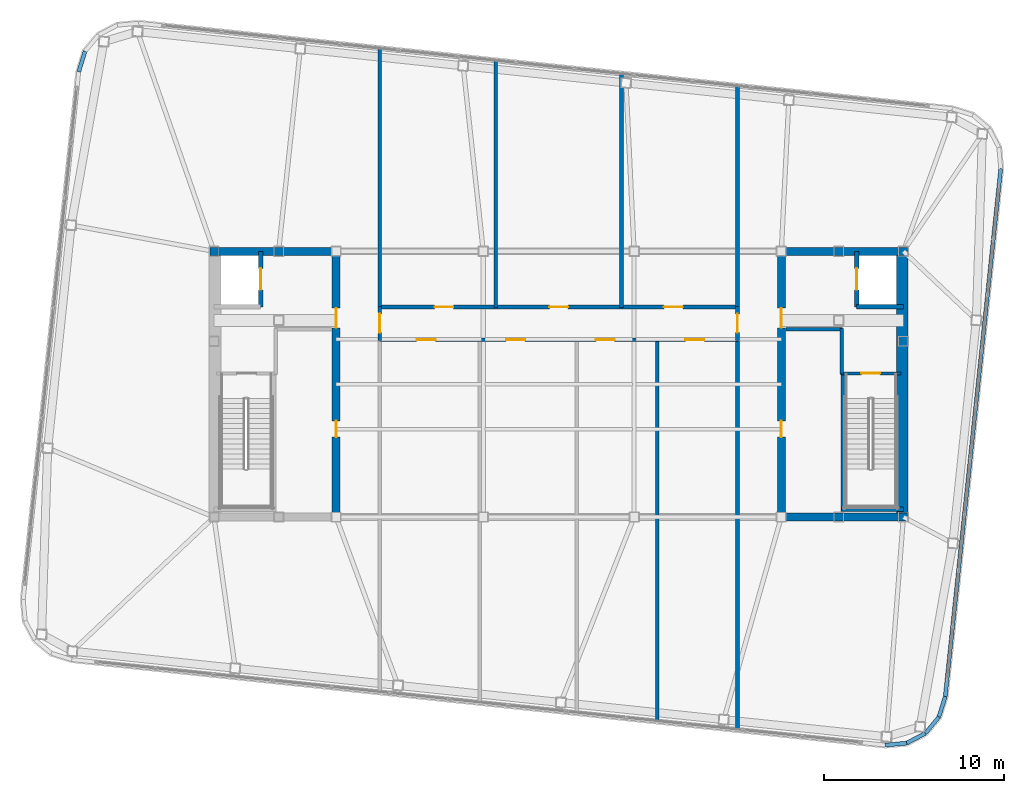
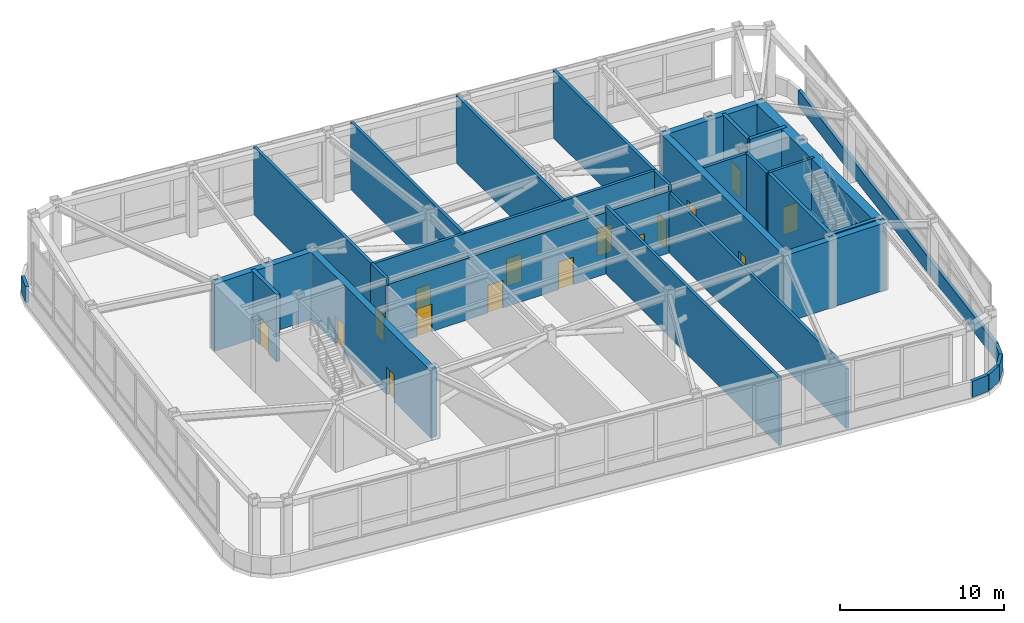
# One storey, part 20 of 23: 30 walls, 16 doors, 16 openings.
"""IFC4 building model written with IfcOpenShell, lengths in metres."""

from ifc_helpers import new_model, si_unit, direction, frame, frame_2d, origin, place, context, subcontext, project, spatial, rectangle, extrude, material, layer, layer_set, type_object, element, fill, save


model = new_model("IFC4")

# Units and contexts
model_context = context("Model", 3, precision=1e-05, world=origin(), true_north=direction((0.0, 1.0)))
body_context = subcontext(model_context, "Body", "Model", "MODEL_VIEW")
ifc_project = project(units=[si_unit("LENGTHUNIT", "METRE"), si_unit("AREAUNIT", "SQUARE_METRE"), si_unit("VOLUMEUNIT", "CUBIC_METRE"), si_unit("PLANEANGLEUNIT", "RADIAN"), si_unit("MASSUNIT", "GRAM", prefix="KILO")], contexts=[model_context])

# Site, building, storey
site_placement = place(None, origin())
site = spatial("IfcSite", under=ifc_project, at=site_placement, CompositionType="ELEMENT")
building_placement = place(site_placement, origin())
building = spatial("IfcBuilding", under=site, at=building_placement, Name="Voryun Gate Residences", CompositionType="ELEMENT")
storey_placement = place(building_placement, frame((0.0, 0.0, 326.60009765625)))
storey = spatial("IfcBuildingStorey", under=building, at=storey_placement, Name="L80", CompositionType="ELEMENT", Elevation=326.60009765625)

# Wall
ifc_material_1 = material(Name="Concrete C50/60", Category="concrete")
ifc_layer_1 = layer(ifc_material_1, 0.449951171875, Name="CW_CORE_450")
ifc_layer_set_1 = layer_set([ifc_layer_1], Name="Concrete C50/60")
wall_type_1 = type_object("IfcWallType", Name="CW_CORE_450", PredefinedType="SHEAR", material=ifc_layer_set_1)
wall_1_placement = place(storey_placement, frame((-19.425048828125, 7.39990234375, 0.0), z_axis=(0.0, 0.0, 1.0), x_axis=(1.0, 0.0, 0.0)))
element("IfcWall", 1, at=wall_1_placement, inside=storey, type_object=wall_type_1, Name="L80 Core shear wall CW-L80-WN", PredefinedType="SHEAR", context=body_context, shape_type="SweptSolid", body=[
    extrude(rectangle(XDim=7.25, YDim=0.449951171875, at=frame_2d((3.625, 0.0))), origin(), (0.0, 0.0, 1.0), 5.02490234375),
])

# Wall, openings, doors
wall_2_placement = place(storey_placement, frame((-12.39990234375, -7.39990234375, 0.0), z_axis=(0.0, 0.0, 1.0), x_axis=(0.0, 1.0, 0.0)))
wall_2 = element("IfcWall", 2, at=wall_2_placement, inside=storey, type_object=wall_type_1, Name="L80 Core shear wall CW-L80-WE", PredefinedType="SHEAR", context=body_context, shape_type="SweptSolid", body=[
    extrude(rectangle(XDim=14.7998046875, YDim=0.449951171875, at=frame_2d((7.39990234375, 0.0))), origin(), (0.0, 0.0, 1.0), 5.02490234375),
])
opening_1_placement = place(wall_2_placement, frame((10.530029296875, 0.0, 0.0)))
opening_1 = element("IfcOpeningElement", 3, at=opening_1_placement, cuts=wall_2, Name="Opening D-FD60-2", PredefinedType="OPENING", context=body_context, shape_type="SweptSolid", body=[
    extrude(rectangle(XDim=1.10009765625, YDim=2.050048828125, at=frame_2d((0.550048828125, 1.02490234375))), frame((0.0, 0.235107421875, 0.0), z_axis=(0.0, -1.0, 0.0), x_axis=(1.0, 0.0, 0.0)), (0.0, 0.0, 1.0), 0.469970703125),
])
opening_2_placement = place(wall_2_placement, frame((4.449951171875, 0.0, 0.0)))
opening_2 = element("IfcOpeningElement", 4, at=opening_2_placement, cuts=wall_2, Name="Opening D-FD60-4", PredefinedType="OPENING", context=body_context, shape_type="SweptSolid", body=[
    extrude(rectangle(XDim=0.89990234375, YDim=2.050048828125, at=frame_2d((0.449951171875, 1.02490234375))), frame((0.0, 0.235107421875, 0.0), z_axis=(0.0, -1.0, 0.0), x_axis=(1.0, 0.0, 0.0)), (0.0, 0.0, 1.0), 0.469970703125),
])
ifc_material_2 = material(Name="Painted steel fire door", Category="steel")
door_type_1 = type_object("IfcDoorType", Name="DR_FD60_FFLOB_1100", OperationType="NOTDEFINED", PredefinedType="DOOR", material=ifc_material_2)
door_1_placement = place(opening_1_placement, origin())
door_1 = element("IfcDoor", 5, at=door_1_placement, inside=storey, type_object=door_type_1, Name="Door DR-L80-CLOB-W", OperationType="SINGLE_SWING_LEFT", OverallHeight=2.050048828125, OverallWidth=1.10009765625, PredefinedType="DOOR", context=body_context, shape_type="SweptSolid", body=[
    extrude(rectangle(XDim=1.10009765625, YDim=2.050048828125, at=frame_2d((0.550048828125, 1.02490234375))), frame((0.0, 0.02490234375, 0.0), z_axis=(0.0, -1.0, 0.0), x_axis=(1.0, 0.0, 0.0)), (0.0, 0.0, 1.0), 0.050048828125),
])
fill(opening_1, door_1)
ifc_material_3 = material(Name="Painted steel fire door", Category="steel")
door_type_2 = type_object("IfcDoorType", Name="DR_FD60_RISER_900", OperationType="NOTDEFINED", PredefinedType="DOOR", material=ifc_material_3)
door_2_placement = place(opening_2_placement, origin())
door_2 = element("IfcDoor", 6, at=door_2_placement, inside=storey, type_object=door_type_2, Name="Door DR-L80-CRNW", OperationType="SINGLE_SWING_LEFT", OverallHeight=2.050048828125, OverallWidth=0.89990234375, PredefinedType="DOOR", context=body_context, shape_type="SweptSolid", body=[
    extrude(rectangle(XDim=0.89990234375, YDim=2.050048828125, at=frame_2d((0.449951171875, 1.02490234375))), frame((0.0, 0.02490234375, 0.0), z_axis=(0.0, -1.0, 0.0), x_axis=(1.0, 0.0, 0.0)), (0.0, 0.0, 1.0), 0.050048828125),
])
fill(opening_2, door_2)

# Walls
for number, where, z_axis, x_axis, name in (
    (7, (12.175048828125, -7.39990234375, 0.0), (0.0, 0.0, 1.0), (1.0, 0.0, 0.0), "L80 Core shear wall CW-L80-ES"),
    (8, (12.175048828125, 7.39990234375, 0.0), (0.0, 0.0, 1.0), (1.0, 0.0, 0.0), "L80 Core shear wall CW-L80-EN"),
):
    element("IfcWall", number, at=place(storey_placement, frame(where, z_axis=z_axis, x_axis=x_axis)), inside=storey, type_object=wall_type_1, Name=name, PredefinedType="SHEAR", context=body_context, shape_type="SweptSolid", body=[
        extrude(rectangle(XDim=7.25, YDim=0.449951171875, at=frame_2d((3.625, 0.0))), origin(), (0.0, 0.0, 1.0), 5.02490234375),
    ])

# Wall, openings, doors
wall_3_placement = place(storey_placement, frame((12.39990234375, -7.39990234375, 0.0), z_axis=(0.0, 0.0, 1.0), x_axis=(0.0, 1.0, 0.0)))
wall_3 = element("IfcWall", 9, at=wall_3_placement, inside=storey, type_object=wall_type_1, Name="L80 Core shear wall CW-L80-EW", PredefinedType="SHEAR", context=body_context, shape_type="SweptSolid", body=[
    extrude(rectangle(XDim=14.7998046875, YDim=0.449951171875, at=frame_2d((7.39990234375, 0.0))), origin(), (0.0, 0.0, 1.0), 5.02490234375),
])
opening_3_placement = place(wall_3_placement, frame((10.530029296875, 0.0, 0.0)))
opening_3 = element("IfcOpeningElement", 10, at=opening_3_placement, cuts=wall_3, Name="Opening D-FD60-2", PredefinedType="OPENING", context=body_context, shape_type="SweptSolid", body=[
    extrude(rectangle(XDim=1.10009765625, YDim=2.050048828125, at=frame_2d((0.550048828125, 1.02490234375))), frame((0.0, 0.235107421875, 0.0), z_axis=(0.0, -1.0, 0.0), x_axis=(1.0, 0.0, 0.0)), (0.0, 0.0, 1.0), 0.469970703125),
])
opening_4_placement = place(wall_3_placement, frame((4.449951171875, 0.0, 0.0)))
opening_4 = element("IfcOpeningElement", 11, at=opening_4_placement, cuts=wall_3, Name="Opening D-FD60-4", PredefinedType="OPENING", context=body_context, shape_type="SweptSolid", body=[
    extrude(rectangle(XDim=0.89990234375, YDim=2.050048828125, at=frame_2d((0.449951171875, 1.02490234375))), frame((0.0, 0.235107421875, 0.0), z_axis=(0.0, -1.0, 0.0), x_axis=(1.0, 0.0, 0.0)), (0.0, 0.0, 1.0), 0.469970703125),
])
door_3_placement = place(opening_3_placement, origin())
door_3 = element("IfcDoor", 12, at=door_3_placement, inside=storey, type_object=door_type_1, Name="Door DR-L80-CLOB-E", OperationType="SINGLE_SWING_RIGHT", OverallHeight=2.050048828125, OverallWidth=1.10009765625, PredefinedType="DOOR", context=body_context, shape_type="SweptSolid", body=[
    extrude(rectangle(XDim=1.10009765625, YDim=2.050048828125, at=frame_2d((0.550048828125, 1.02490234375))), frame((0.0, 0.02490234375, 0.0), z_axis=(0.0, -1.0, 0.0), x_axis=(1.0, 0.0, 0.0)), (0.0, 0.0, 1.0), 0.050048828125),
])
fill(opening_3, door_3)
door_4_placement = place(opening_4_placement, origin())
door_4 = element("IfcDoor", 13, at=door_4_placement, inside=storey, type_object=door_type_2, Name="Door DR-L80-CRNE", OperationType="SINGLE_SWING_RIGHT", OverallHeight=2.050048828125, OverallWidth=0.89990234375, PredefinedType="DOOR", context=body_context, shape_type="SweptSolid", body=[
    extrude(rectangle(XDim=0.89990234375, YDim=2.050048828125, at=frame_2d((0.449951171875, 1.02490234375))), frame((0.0, 0.02490234375, 0.0), z_axis=(0.0, -1.0, 0.0), x_axis=(1.0, 0.0, 0.0)), (0.0, 0.0, 1.0), 0.050048828125),
])
fill(opening_4, door_4)

# Wall
ifc_material_4 = material(Name="Concrete C60/75", Category="concrete")
ifc_layer_2 = layer(ifc_material_4, 0.64990234375, Name="CW_CORE_650")
ifc_layer_set_2 = layer_set([ifc_layer_2], Name="Concrete C60/75")
wall_type_2 = type_object("IfcWallType", Name="CW_CORE_650", PredefinedType="SHEAR", material=ifc_layer_set_2)
wall_4_placement = place(storey_placement, frame((19.14501953125, -7.39990234375, 0.0), z_axis=(0.0, 0.0, 1.0), x_axis=(0.0, 1.0, 0.0)))
element("IfcWall", 14, at=wall_4_placement, inside=storey, type_object=wall_type_2, Name="L80 Core shear wall CW-L80-EE", PredefinedType="SHEAR", context=body_context, shape_type="SweptSolid", body=[
    extrude(rectangle(XDim=14.7998046875, YDim=0.64990234375, at=frame_2d((7.39990234375, 0.0))), origin(), (0.0, 0.0, 1.0), 5.02490234375),
])

# Wall, opening, door
ifc_material_5 = material(Name="Gypsum acoustic fireboard")
ifc_layer_3 = layer(ifc_material_5, 0.179931640625, Name="W_CORR_RATED_180")
ifc_layer_set_3 = layer_set([ifc_layer_3], Name="Gypsum acoustic fireboard")
wall_type_3 = type_object("IfcWallType", Name="W_CORR_RATED_180", PredefinedType="PARTITIONING", material=ifc_layer_set_3)
wall_5_placement = place(storey_placement, frame((15.699951171875, 0.60009765625, 0.0), z_axis=(0.0, 0.0, 1.0), x_axis=(1.0, 0.0, 0.0)))
wall_5 = element("IfcWall", 15, at=wall_5_placement, inside=storey, type_object=wall_type_3, Name="Partition wall WP-L80-STV-E", PredefinedType="PARTITIONING", context=body_context, shape_type="SweptSolid", body=[
    extrude(rectangle(XDim=3.360107421875, YDim=0.179931640625, at=frame_2d((1.68017578125, 0.0))), origin(), (0.0, 0.0, 1.0), 5.02490234375),
])
opening_5_placement = place(wall_5_placement, frame((1.155029296875, 0.0, 0.0)))
opening_5 = element("IfcOpeningElement", 16, at=opening_5_placement, cuts=wall_5, Name="Opening D-FD60-1", PredefinedType="OPENING", context=body_context, shape_type="SweptSolid", body=[
    extrude(rectangle(XDim=1.050048828125, YDim=2.050048828125, at=frame_2d((0.52490234375, 1.02490234375))), frame((0.0, 0.099853515625, 0.0), z_axis=(0.0, -1.0, 0.0), x_axis=(1.0, 0.0, 0.0)), (0.0, 0.0, 1.0), 0.199951171875),
])
ifc_material_6 = material(Name="Painted steel fire door", Category="steel")
door_type_3 = type_object("IfcDoorType", Name="DR_FD60_STAIR_1050", OperationType="NOTDEFINED", PredefinedType="DOOR", material=ifc_material_6)
door_5_placement = place(opening_5_placement, origin())
door_5 = element("IfcDoor", 17, at=door_5_placement, inside=storey, type_object=door_type_3, Name="Door DR-L80-ST-E", OperationType="SINGLE_SWING_RIGHT", OverallHeight=2.050048828125, OverallWidth=1.050048828125, PredefinedType="DOOR", context=body_context, shape_type="SweptSolid", body=[
    extrude(rectangle(XDim=1.050048828125, YDim=2.050048828125, at=frame_2d((0.52490234375, 1.02490234375))), frame((0.0, 0.02490234375, 0.0), z_axis=(0.0, -1.0, 0.0), x_axis=(1.0, 0.0, 0.0)), (0.0, 0.0, 1.0), 0.050048828125),
])
fill(opening_5, door_5)

# Walls
ifc_material_7 = material(Name="Concrete C40/50", Category="concrete")
ifc_layer_4 = layer(ifc_material_7, 0.199951171875, Name="W_FF_LOBBY_200")
ifc_layer_set_4 = layer_set([ifc_layer_4], Name="Concrete C40/50")
wall_type_4 = type_object("IfcWallType", Name="W_FF_LOBBY_200", PredefinedType="PARTITIONING", material=ifc_layer_set_4)
wall_6_placement = place(storey_placement, frame((15.760009765625, 0.580078125, 0.0), z_axis=(0.0, 0.0, 1.0), x_axis=(0.0, 1.0, 0.0)))
element("IfcWall", 18, at=wall_6_placement, inside=storey, type_object=wall_type_4, Name="Partition wall WP-L80-FFP0-E", PredefinedType="PARTITIONING", context=body_context, shape_type="SweptSolid", body=[
    extrude(rectangle(XDim=2.52001953125, YDim=0.199951171875, at=frame_2d((1.260009765625, 0.0))), origin(), (0.0, 0.0, 1.0), 5.02490234375),
])
wall_7_placement = place(storey_placement, frame((12.659912109375, 3.06005859375, 0.0), z_axis=(0.0, 0.0, 1.0), x_axis=(1.0, 0.0, 0.0)))
element("IfcWall", 19, at=wall_7_placement, inside=storey, type_object=wall_type_4, Name="Partition wall WP-L80-FFPS-E", PredefinedType="PARTITIONING", context=body_context, shape_type="SweptSolid", body=[
    extrude(rectangle(XDim=3.16015625, YDim=0.199951171875, at=frame_2d((1.580078125, 0.0))), origin(), (0.0, 0.0, 1.0), 5.02490234375),
])

# Wall, openings, doors
wall_8_placement = place(storey_placement, frame((-9.97998046875, 2.47998046875, 0.0), z_axis=(0.0, 0.0, 1.0), x_axis=(1.0, 0.0, 0.0)))
wall_8 = element("IfcWall", 20, at=wall_8_placement, inside=storey, type_object=wall_type_4, Name="Partition wall WP-L80-CS", PredefinedType="PARTITIONING", context=body_context, shape_type="SweptSolid", body=[
    extrude(rectangle(XDim=19.9599609375, YDim=0.199951171875, at=frame_2d((9.97998046875, 0.0))), origin(), (0.0, 0.0, 1.0), 4.594970703125),
])
opening_6_placement = place(wall_8_placement, frame((2.06982421875, 0.0, 0.0)))
opening_6 = element("IfcOpeningElement", 21, at=opening_6_placement, cuts=wall_8, Name="Opening D-FD60-1", PredefinedType="OPENING", context=body_context, shape_type="SweptSolid", body=[
    extrude(rectangle(XDim=1.050048828125, YDim=2.050048828125, at=frame_2d((0.52490234375, 1.02490234375))), frame((0.0, 0.110107421875, 0.0), z_axis=(0.0, -1.0, 0.0), x_axis=(1.0, 0.0, 0.0)), (0.0, 0.0, 1.0), 0.219970703125),
])
opening_7_placement = place(wall_8_placement, frame((7.059814453125, 0.0, 0.0)))
opening_7 = element("IfcOpeningElement", 22, at=opening_7_placement, cuts=wall_8, Name="Opening D-FD60-1", PredefinedType="OPENING", context=body_context, shape_type="SweptSolid", body=[
    extrude(rectangle(XDim=1.050048828125, YDim=2.050048828125, at=frame_2d((0.52490234375, 1.02490234375))), frame((0.0, 0.110107421875, 0.0), z_axis=(0.0, -1.0, 0.0), x_axis=(1.0, 0.0, 0.0)), (0.0, 0.0, 1.0), 0.219970703125),
])
opening_8_placement = place(wall_8_placement, frame((12.0498046875, 0.0, 0.0)))
opening_8 = element("IfcOpeningElement", 23, at=opening_8_placement, cuts=wall_8, Name="Opening D-FD60-1", PredefinedType="OPENING", context=body_context, shape_type="SweptSolid", body=[
    extrude(rectangle(XDim=1.050048828125, YDim=2.050048828125, at=frame_2d((0.52490234375, 1.02490234375))), frame((0.0, 0.110107421875, 0.0), z_axis=(0.0, -1.0, 0.0), x_axis=(1.0, 0.0, 0.0)), (0.0, 0.0, 1.0), 0.219970703125),
])
opening_9_placement = place(wall_8_placement, frame((17.039794921875, 0.0, 0.0)))
opening_9 = element("IfcOpeningElement", 24, at=opening_9_placement, cuts=wall_8, Name="Opening D-FD60-1", PredefinedType="OPENING", context=body_context, shape_type="SweptSolid", body=[
    extrude(rectangle(XDim=1.050048828125, YDim=2.050048828125, at=frame_2d((0.52490234375, 1.02490234375))), frame((0.0, 0.110107421875, 0.0), z_axis=(0.0, -1.0, 0.0), x_axis=(1.0, 0.0, 0.0)), (0.0, 0.0, 1.0), 0.219970703125),
])
door_6_placement = place(opening_6_placement, origin())
door_6 = element("IfcDoor", 25, at=door_6_placement, inside=storey, type_object=door_type_3, Name="Door DR-L80-CSA", OperationType="SINGLE_SWING_LEFT", OverallHeight=2.050048828125, OverallWidth=1.050048828125, PredefinedType="DOOR", context=body_context, shape_type="SweptSolid", body=[
    extrude(rectangle(XDim=1.050048828125, YDim=2.050048828125, at=frame_2d((0.52490234375, 1.02490234375))), frame((0.0, 0.02490234375, 0.0), z_axis=(0.0, -1.0, 0.0), x_axis=(1.0, 0.0, 0.0)), (0.0, 0.0, 1.0), 0.050048828125),
])
fill(opening_6, door_6)
door_7_placement = place(opening_7_placement, origin())
door_7 = element("IfcDoor", 26, at=door_7_placement, inside=storey, type_object=door_type_3, Name="Door DR-L80-CSB", OperationType="SINGLE_SWING_LEFT", OverallHeight=2.050048828125, OverallWidth=1.050048828125, PredefinedType="DOOR", context=body_context, shape_type="SweptSolid", body=[
    extrude(rectangle(XDim=1.050048828125, YDim=2.050048828125, at=frame_2d((0.52490234375, 1.02490234375))), frame((0.0, 0.02490234375, 0.0), z_axis=(0.0, -1.0, 0.0), x_axis=(1.0, 0.0, 0.0)), (0.0, 0.0, 1.0), 0.050048828125),
])
fill(opening_7, door_7)
door_8_placement = place(opening_8_placement, origin())
door_8 = element("IfcDoor", 27, at=door_8_placement, inside=storey, type_object=door_type_3, Name="Door DR-L80-CSC", OperationType="SINGLE_SWING_RIGHT", OverallHeight=2.050048828125, OverallWidth=1.050048828125, PredefinedType="DOOR", context=body_context, shape_type="SweptSolid", body=[
    extrude(rectangle(XDim=1.050048828125, YDim=2.050048828125, at=frame_2d((0.52490234375, 1.02490234375))), frame((0.0, 0.02490234375, 0.0), z_axis=(0.0, -1.0, 0.0), x_axis=(1.0, 0.0, 0.0)), (0.0, 0.0, 1.0), 0.050048828125),
])
fill(opening_8, door_8)
door_9_placement = place(opening_9_placement, origin())
door_9 = element("IfcDoor", 28, at=door_9_placement, inside=storey, type_object=door_type_3, Name="Door DR-L80-CSD", OperationType="SINGLE_SWING_RIGHT", OverallHeight=2.050048828125, OverallWidth=1.050048828125, PredefinedType="DOOR", context=body_context, shape_type="SweptSolid", body=[
    extrude(rectangle(XDim=1.050048828125, YDim=2.050048828125, at=frame_2d((0.52490234375, 1.02490234375))), frame((0.0, 0.02490234375, 0.0), z_axis=(0.0, -1.0, 0.0), x_axis=(1.0, 0.0, 0.0)), (0.0, 0.0, 1.0), 0.050048828125),
])
fill(opening_9, door_9)

wall_9_placement = place(storey_placement, frame((-9.97998046875, 4.300048828125, 0.0), z_axis=(0.0, 0.0, 1.0), x_axis=(1.0, 0.0, 0.0)))
wall_9 = element("IfcWall", 29, at=wall_9_placement, inside=storey, type_object=wall_type_4, Name="Partition wall WP-L80-CN", PredefinedType="PARTITIONING", context=body_context, shape_type="SweptSolid", body=[
    extrude(rectangle(XDim=19.9599609375, YDim=0.199951171875, at=frame_2d((9.97998046875, 0.0))), origin(), (0.0, 0.0, 1.0), 5.02490234375),
])
opening_10_placement = place(wall_9_placement, frame((3.06787109375, 0.0, 0.0)))
opening_10 = element("IfcOpeningElement", 30, at=opening_10_placement, cuts=wall_9, Name="Opening D-FD60-1", PredefinedType="OPENING", context=body_context, shape_type="SweptSolid", body=[
    extrude(rectangle(XDim=1.050048828125, YDim=2.050048828125, at=frame_2d((0.52490234375, 1.02490234375))), frame((0.0, 0.110107421875, 0.0), z_axis=(0.0, -1.0, 0.0), x_axis=(1.0, 0.0, 0.0)), (0.0, 0.0, 1.0), 0.219970703125),
])
opening_11_placement = place(wall_9_placement, frame((9.455078125, 0.0, 0.0)))
opening_11 = element("IfcOpeningElement", 31, at=opening_11_placement, cuts=wall_9, Name="Opening D-FD60-1", PredefinedType="OPENING", context=body_context, shape_type="SweptSolid", body=[
    extrude(rectangle(XDim=1.050048828125, YDim=2.050048828125, at=frame_2d((0.52490234375, 1.02490234375))), frame((0.0, 0.110107421875, 0.0), z_axis=(0.0, -1.0, 0.0), x_axis=(1.0, 0.0, 0.0)), (0.0, 0.0, 1.0), 0.219970703125),
])
opening_12_placement = place(wall_9_placement, frame((15.84228515625, 0.0, 0.0)))
opening_12 = element("IfcOpeningElement", 32, at=opening_12_placement, cuts=wall_9, Name="Opening D-FD60-1", PredefinedType="OPENING", context=body_context, shape_type="SweptSolid", body=[
    extrude(rectangle(XDim=1.050048828125, YDim=2.050048828125, at=frame_2d((0.52490234375, 1.02490234375))), frame((0.0, 0.110107421875, 0.0), z_axis=(0.0, -1.0, 0.0), x_axis=(1.0, 0.0, 0.0)), (0.0, 0.0, 1.0), 0.219970703125),
])
door_10_placement = place(opening_10_placement, origin())
door_10 = element("IfcDoor", 33, at=door_10_placement, inside=storey, type_object=door_type_3, Name="Door DR-L80-CNA", OperationType="SINGLE_SWING_LEFT", OverallHeight=2.050048828125, OverallWidth=1.050048828125, PredefinedType="DOOR", context=body_context, shape_type="SweptSolid", body=[
    extrude(rectangle(XDim=1.050048828125, YDim=2.050048828125, at=frame_2d((0.52490234375, 1.02490234375))), frame((0.0, 0.02490234375, 0.0), z_axis=(0.0, -1.0, 0.0), x_axis=(1.0, 0.0, 0.0)), (0.0, 0.0, 1.0), 0.050048828125),
])
fill(opening_10, door_10)
door_11_placement = place(opening_11_placement, origin())
door_11 = element("IfcDoor", 34, at=door_11_placement, inside=storey, type_object=door_type_3, Name="Door DR-L80-CNB", OperationType="SINGLE_SWING_LEFT", OverallHeight=2.050048828125, OverallWidth=1.050048828125, PredefinedType="DOOR", context=body_context, shape_type="SweptSolid", body=[
    extrude(rectangle(XDim=1.050048828125, YDim=2.050048828125, at=frame_2d((0.52490234375, 1.02490234375))), frame((0.0, 0.02490234375, 0.0), z_axis=(0.0, -1.0, 0.0), x_axis=(1.0, 0.0, 0.0)), (0.0, 0.0, 1.0), 0.050048828125),
])
fill(opening_11, door_11)
door_12_placement = place(opening_12_placement, origin())
door_12 = element("IfcDoor", 35, at=door_12_placement, inside=storey, type_object=door_type_3, Name="Door DR-L80-CNC", OperationType="SINGLE_SWING_RIGHT", OverallHeight=2.050048828125, OverallWidth=1.050048828125, PredefinedType="DOOR", context=body_context, shape_type="SweptSolid", body=[
    extrude(rectangle(XDim=1.050048828125, YDim=2.050048828125, at=frame_2d((0.52490234375, 1.02490234375))), frame((0.0, 0.02490234375, 0.0), z_axis=(0.0, -1.0, 0.0), x_axis=(1.0, 0.0, 0.0)), (0.0, 0.0, 1.0), 0.050048828125),
])
fill(opening_12, door_12)

# Wall, opening, door
wall_10_placement = place(storey_placement, frame((-9.9599609375, 2.43994140625, 0.0), z_axis=(0.0, 0.0, 1.0), x_axis=(0.0, 1.0, 0.0)))
wall_10 = element("IfcWall", 36, at=wall_10_placement, inside=storey, type_object=wall_type_4, Name="Partition wall WP-L80-CWMID", PredefinedType="PARTITIONING", context=body_context, shape_type="SweptSolid", body=[
    extrude(rectangle(XDim=1.900146484375, YDim=0.199951171875, at=frame_2d((0.9501953125, 0.0))), origin(), (0.0, 0.0, 1.0), 5.02490234375),
])
opening_13_placement = place(wall_10_placement, frame((0.425048828125, 0.0, 0.0)))
opening_13 = element("IfcOpeningElement", 37, at=opening_13_placement, cuts=wall_10, Name="Opening D-FD60-1", PredefinedType="OPENING", context=body_context, shape_type="SweptSolid", body=[
    extrude(rectangle(XDim=1.050048828125, YDim=2.050048828125, at=frame_2d((0.52490234375, 1.02490234375))), frame((0.0, 0.110107421875, 0.0), z_axis=(0.0, -1.0, 0.0), x_axis=(1.0, 0.0, 0.0)), (0.0, 0.0, 1.0), 0.219970703125),
])
door_13_placement = place(opening_13_placement, origin())
door_13 = element("IfcDoor", 38, at=door_13_placement, inside=storey, type_object=door_type_3, Name="Door DR-L80-CW1", OperationType="SINGLE_SWING_LEFT", OverallHeight=2.050048828125, OverallWidth=1.050048828125, PredefinedType="DOOR", context=body_context, shape_type="SweptSolid", body=[
    extrude(rectangle(XDim=1.050048828125, YDim=2.050048828125, at=frame_2d((0.52490234375, 1.02490234375))), frame((0.0, 0.02490234375, 0.0), z_axis=(0.0, -1.0, 0.0), x_axis=(1.0, 0.0, 0.0)), (0.0, 0.0, 1.0), 0.050048828125),
])
fill(opening_13, door_13)

wall_11_placement = place(storey_placement, frame((9.9599609375, 2.43994140625, 0.0), z_axis=(0.0, 0.0, 1.0), x_axis=(0.0, 1.0, 0.0)))
wall_11 = element("IfcWall", 39, at=wall_11_placement, inside=storey, type_object=wall_type_4, Name="Partition wall WP-L80-CEMID", PredefinedType="PARTITIONING", context=body_context, shape_type="SweptSolid", body=[
    extrude(rectangle(XDim=1.900146484375, YDim=0.199951171875, at=frame_2d((0.9501953125, 0.0))), origin(), (0.0, 0.0, 1.0), 5.02490234375),
])
opening_14_placement = place(wall_11_placement, frame((0.425048828125, 0.0, 0.0)))
opening_14 = element("IfcOpeningElement", 40, at=opening_14_placement, cuts=wall_11, Name="Opening D-FD60-1", PredefinedType="OPENING", context=body_context, shape_type="SweptSolid", body=[
    extrude(rectangle(XDim=1.050048828125, YDim=2.050048828125, at=frame_2d((0.52490234375, 1.02490234375))), frame((0.0, 0.110107421875, 0.0), z_axis=(0.0, -1.0, 0.0), x_axis=(1.0, 0.0, 0.0)), (0.0, 0.0, 1.0), 0.219970703125),
])
door_14_placement = place(opening_14_placement, origin())
door_14 = element("IfcDoor", 41, at=door_14_placement, inside=storey, type_object=door_type_3, Name="Door DR-L80-CE1", OperationType="SINGLE_SWING_RIGHT", OverallHeight=2.050048828125, OverallWidth=1.050048828125, PredefinedType="DOOR", context=body_context, shape_type="SweptSolid", body=[
    extrude(rectangle(XDim=1.050048828125, YDim=2.050048828125, at=frame_2d((0.52490234375, 1.02490234375))), frame((0.0, 0.02490234375, 0.0), z_axis=(0.0, -1.0, 0.0), x_axis=(1.0, 0.0, 0.0)), (0.0, 0.0, 1.0), 0.050048828125),
])
fill(opening_14, door_14)

# Walls
wall_12_placement = place(storey_placement, frame((-9.9599609375, 4.280029296875, 0.0), z_axis=(0.0, 0.0, 1.0), x_axis=(0.0, 1.0, 0.0)))
element("IfcWall", 42, at=wall_12_placement, inside=storey, type_object=wall_type_4, Name="Partition wall WP-L80-CW2", PredefinedType="PARTITIONING", context=body_context, shape_type="SweptSolid", body=[
    extrude(rectangle(XDim=14.3916015625, YDim=0.199951171875, at=frame_2d((7.19580078125, 0.0))), origin(), (0.0, 0.0, 1.0), 5.02490234375),
])
wall_13_placement = place(storey_placement, frame((9.9599609375, -19.21826171875, 0.0), z_axis=(0.0, 0.0, 1.0), x_axis=(0.0, 1.0, 0.0)))
element("IfcWall", 43, at=wall_13_placement, inside=storey, type_object=wall_type_4, Name="Partition wall WP-L80-CE1", PredefinedType="PARTITIONING", context=body_context, shape_type="SweptSolid", body=[
    extrude(rectangle(XDim=21.71826171875, YDim=0.199951171875, at=frame_2d((10.859130859375, 0.0))), origin(), (0.0, 0.0, 1.0), 4.46484375),
])
wall_14_placement = place(storey_placement, frame((9.9599609375, 4.280029296875, 0.0), z_axis=(0.0, 0.0, 1.0), x_axis=(0.0, 1.0, 0.0)))
element("IfcWall", 44, at=wall_14_placement, inside=storey, type_object=wall_type_4, Name="Partition wall WP-L80-CE2", PredefinedType="PARTITIONING", context=body_context, shape_type="SweptSolid", body=[
    extrude(rectangle(XDim=12.2978515625, YDim=0.199951171875, at=frame_2d((6.14892578125, 0.0))), origin(), (0.0, 0.0, 1.0), 5.02490234375),
])
wall_15_placement = place(storey_placement, frame((5.5, -18.74951171875, 0.0), z_axis=(0.0, 0.0, 1.0), x_axis=(0.0, 1.0, 0.0)))
element("IfcWall", 45, at=wall_15_placement, inside=storey, type_object=wall_type_4, Name="Partition wall WP-L80-CMIDS3", PredefinedType="PARTITIONING", context=body_context, shape_type="SweptSolid", body=[
    extrude(rectangle(XDim=21.24951171875, YDim=0.199951171875, at=frame_2d((10.624755859375, 0.0))), origin(), (0.0, 0.0, 1.0), 5.02490234375),
])
wall_16_placement = place(storey_placement, frame((-3.5, 4.280029296875, 0.0), z_axis=(0.0, 0.0, 1.0), x_axis=(0.0, 1.0, 0.0)))
element("IfcWall", 46, at=wall_16_placement, inside=storey, type_object=wall_type_4, Name="Partition wall WP-L80-CMIDN1", PredefinedType="PARTITIONING", context=body_context, shape_type="SweptSolid", body=[
    extrude(rectangle(XDim=13.712646484375, YDim=0.199951171875, at=frame_2d((6.8564453125, 0.0))), origin(), (0.0, 0.0, 1.0), 5.02490234375),
])
wall_17_placement = place(storey_placement, frame((3.5, 4.280029296875, 0.0), z_axis=(0.0, 0.0, 1.0), x_axis=(0.0, 1.0, 0.0)))
element("IfcWall", 47, at=wall_17_placement, inside=storey, type_object=wall_type_4, Name="Partition wall WP-L80-CMIDN2", PredefinedType="PARTITIONING", context=body_context, shape_type="SweptSolid", body=[
    extrude(rectangle(XDim=12.976806640625, YDim=0.199951171875, at=frame_2d((6.48828125, 0.0))), origin(), (0.0, 0.0, 1.0), 5.02490234375),
])
ifc_material_8 = material(Name="Precast concrete C40/50", Category="concrete")
ifc_layer_5 = layer(ifc_material_8, 0.219970703125, Name="W_PARAPET_CURB_220")
ifc_layer_set_5 = layer_set([ifc_layer_5], Name="Precast concrete C40/50")
wall_type_5 = type_object("IfcWallType", Name="W_PARAPET_CURB_220", PredefinedType="PARAPET", material=ifc_layer_set_5)
wall_18_placement = place(storey_placement, frame((-26.7333984375, 17.400146484375, 0.0), z_axis=(0.0, 0.0, 1.0), x_axis=(0.296611239858, 0.95499831015, 0.0)))
element("IfcWall", 48, at=wall_18_placement, inside=storey, type_object=wall_type_5, Name="Exterior wall WCRN-L80-07", PredefinedType="PARAPET", context=body_context, shape_type="SweptSolid", body=[
    extrude(rectangle(XDim=1.195068359375, YDim=0.219970703125, at=frame_2d((0.59765625, 0.0))), origin(), (0.0, 0.0, 1.0), 1.199951171875),
])
wall_19_placement = place(storey_placement, frame((24.623779296875, 12.00244140625, 0.0), z_axis=(0.0, 0.0, 1.0), x_axis=(-0.104528313262, -0.994521911134, 0.0)))
element("IfcWall", 49, at=wall_19_placement, inside=storey, type_object=wall_type_5, Name="Exterior wall WCRN-L80-16", PredefinedType="PARAPET", context=body_context, shape_type="SweptSolid", body=[
    extrude(rectangle(XDim=29.564453125, YDim=0.219970703125, at=frame_2d((14.7822265625, 0.0))), origin(), (0.0, 0.0, 1.0), 1.199951171875),
])
wall_20_placement = place(storey_placement, frame((21.533447265625, -17.400146484375, 0.0), z_axis=(0.0, 0.0, 1.0), x_axis=(-0.296611239858, -0.95499831015, 0.0)))
element("IfcWall", 50, at=wall_20_placement, inside=storey, type_object=wall_type_5, Name="Exterior wall WCRN-L80-17", PredefinedType="PARAPET", context=body_context, shape_type="SweptSolid", body=[
    extrude(rectangle(XDim=1.195068359375, YDim=0.219970703125, at=frame_2d((0.59765625, 0.0))), origin(), (0.0, 0.0, 1.0), 1.199951171875),
])
wall_21_placement = place(storey_placement, frame((21.178955078125, -18.54150390625, 0.0), z_axis=(0.0, 0.0, 1.0), x_axis=(-0.639408628756, -0.768867092203, 0.0)))
element("IfcWall", 51, at=wall_21_placement, inside=storey, type_object=wall_type_5, Name="Exterior wall WCRN-L80-18", PredefinedType="PARAPET", context=body_context, shape_type="SweptSolid", body=[
    extrude(rectangle(XDim=1.1767578125, YDim=0.219970703125, at=frame_2d((0.58837890625, 0.0))), origin(), (0.0, 0.0, 1.0), 1.199951171875),
])
wall_22_placement = place(storey_placement, frame((20.426513671875, -19.4462890625, 0.0), z_axis=(0.0, 0.0, 1.0), x_axis=(-0.884985697578, -0.465618207421, 0.0)))
element("IfcWall", 52, at=wall_22_placement, inside=storey, type_object=wall_type_5, Name="Exterior wall WCRN-L80-19", PredefinedType="PARAPET", context=body_context, shape_type="SweptSolid", body=[
    extrude(rectangle(XDim=1.17724609375, YDim=0.219970703125, at=frame_2d((0.588623046875, 0.0))), origin(), (0.0, 0.0, 1.0), 1.199951171875),
])
wall_23_placement = place(storey_placement, frame((19.384765625, -19.994384765625, 0.0), z_axis=(0.0, 0.0, 1.0), x_axis=(-0.995802277791, -0.091530451467, 0.0)))
element("IfcWall", 53, at=wall_23_placement, inside=storey, type_object=wall_type_5, Name="Exterior wall WCRN-L80-20", PredefinedType="PARAPET", context=body_context, shape_type="SweptSolid", body=[
    extrude(rectangle(XDim=1.195068359375, YDim=0.219970703125, at=frame_2d((0.59765625, 0.0))), origin(), (0.0, 0.0, 1.0), 1.199951171875),
])
ifc_material_9 = material(Name="Concrete C50/60", Category="concrete")
ifc_layer_6 = layer(ifc_material_9, 0.25, Name="W_SHAFT_RC250")
ifc_layer_set_6 = layer_set([ifc_layer_6], Name="Concrete C50/60")
wall_type_6 = type_object("IfcWallType", Name="W_SHAFT_RC250", PredefinedType="SOLIDWALL", material=ifc_layer_set_6)
wall_24_placement = place(storey_placement, frame((15.860107421875, -7.0849609375, 0.0), z_axis=(0.0, 0.0, 1.0), x_axis=(0.0, 1.0, 0.0)))
element("IfcWall", 54, at=wall_24_placement, inside=storey, type_object=wall_type_6, Name="L80 Stair shaft structural wall E-STL", PredefinedType="SOLIDWALL", context=body_context, shape_type="SweptSolid", body=[
    extrude(rectangle(XDim=7.68505859375, YDim=0.25, at=frame_2d((3.842529296875, 0.0))), origin(), (0.0, 0.0, 1.0), 5.02490234375),
])
wall_25_placement = place(storey_placement, frame((15.739990234375, -6.965087890625, 0.0), z_axis=(0.0, 0.0, 1.0), x_axis=(1.0, 0.0, 0.0)))
element("IfcWall", 55, at=wall_25_placement, inside=storey, type_object=wall_type_6, Name="L80 Stair shaft structural wall E-STS", PredefinedType="SOLIDWALL", context=body_context, shape_type="SweptSolid", body=[
    extrude(rectangle(XDim=3.4599609375, YDim=0.25, at=frame_2d((1.72998046875, 0.0))), origin(), (0.0, 0.0, 1.0), 5.02490234375),
])

# Wall, opening, door
wall_26_placement = place(storey_placement, frame((-16.60009765625, 4.300048828125, 0.0), z_axis=(0.0, 0.0, 1.0), x_axis=(0.0, 1.0, 0.0)))
wall_26 = element("IfcWall", 56, at=wall_26_placement, inside=storey, type_object=wall_type_6, Name="Lift shaft wall WSH-L80-EL-FF-W1-E", PredefinedType="SOLIDWALL", context=body_context, shape_type="SweptSolid", body=[
    extrude(rectangle(XDim=3.099853515625, YDim=0.25, at=frame_2d((1.5498046875, 0.0))), origin(), (0.0, 0.0, 1.0), 5.02490234375),
])
opening_15_placement = place(wall_26_placement, frame((0.949951171875, 0.0, 0.0)))
opening_15 = element("IfcOpeningElement", 57, at=opening_15_placement, cuts=wall_26, Name="Opening LD1", PredefinedType="OPENING", context=body_context, shape_type="SweptSolid", body=[
    extrude(rectangle(XDim=1.199951171875, YDim=2.050048828125, at=frame_2d((0.60009765625, 1.02490234375))), frame((0.0, 0.135009765625, 0.0), z_axis=(0.0, -1.0, 0.0), x_axis=(1.0, 0.0, 0.0)), (0.0, 0.0, 1.0), 0.27001953125),
])
ifc_material_10 = material(Name="Anodised aluminium", Category="aluminium")
door_type_4 = type_object("IfcDoorType", Name="DR_LD_FF_1200", OperationType="NOTDEFINED", PredefinedType="DOOR", material=ifc_material_10)
door_15_placement = place(opening_15_placement, origin())
door_15 = element("IfcDoor", 58, at=door_15_placement, inside=storey, type_object=door_type_4, Name="Lift EL-FF-W1 sliding landing door L80", OperationType="SLIDING_TO_LEFT", OverallHeight=2.050048828125, OverallWidth=1.199951171875, PredefinedType="DOOR", context=body_context, shape_type="SweptSolid", body=[
    extrude(rectangle(XDim=1.199951171875, YDim=2.050048828125, at=frame_2d((0.60009765625, 1.02490234375))), frame((0.0, 0.02490234375, 0.0), z_axis=(0.0, -1.0, 0.0), x_axis=(1.0, 0.0, 0.0)), (0.0, 0.0, 1.0), 0.050048828125),
])
fill(opening_15, door_15)

# Wall
wall_27_placement = place(storey_placement, frame((16.60009765625, 4.300048828125, 0.0), z_axis=(0.0, 0.0, 1.0), x_axis=(1.0, 0.0, 0.0)))
element("IfcWall", 59, at=wall_27_placement, inside=storey, type_object=wall_type_6, Name="Lift shaft wall WSH-L80-EL-FF-E1-S", PredefinedType="SOLIDWALL", context=body_context, shape_type="SweptSolid", body=[
    extrude(rectangle(XDim=2.599853515625, YDim=0.25, at=frame_2d((1.2998046875, 0.0))), origin(), (0.0, 0.0, 1.0), 5.02490234375),
])

# Wall, opening, door
wall_28_placement = place(storey_placement, frame((16.60009765625, 7.39990234375, 0.0), z_axis=(0.0, 0.0, 1.0), x_axis=(0.0, -1.0, 0.0)))
wall_28 = element("IfcWall", 60, at=wall_28_placement, inside=storey, type_object=wall_type_6, Name="Lift shaft wall WSH-L80-EL-FF-E1-W", PredefinedType="SOLIDWALL", context=body_context, shape_type="SweptSolid", body=[
    extrude(rectangle(XDim=3.099853515625, YDim=0.25, at=frame_2d((1.5498046875, 0.0))), origin(), (0.0, 0.0, 1.0), 5.02490234375),
])
opening_16_placement = place(wall_28_placement, frame((0.949951171875, 0.0, 0.0)))
opening_16 = element("IfcOpeningElement", 61, at=opening_16_placement, cuts=wall_28, Name="Opening LD1", PredefinedType="OPENING", context=body_context, shape_type="SweptSolid", body=[
    extrude(rectangle(XDim=1.199951171875, YDim=2.050048828125, at=frame_2d((0.60009765625, 1.02490234375))), frame((0.0, 0.135009765625, 0.0), z_axis=(0.0, -1.0, 0.0), x_axis=(1.0, 0.0, 0.0)), (0.0, 0.0, 1.0), 0.27001953125),
])
door_16_placement = place(opening_16_placement, origin())
door_16 = element("IfcDoor", 62, at=door_16_placement, inside=storey, type_object=door_type_4, Name="Lift EL-FF-E1 sliding landing door L80", OperationType="SLIDING_TO_LEFT", OverallHeight=2.050048828125, OverallWidth=1.199951171875, PredefinedType="DOOR", context=body_context, shape_type="SweptSolid", body=[
    extrude(rectangle(XDim=1.199951171875, YDim=2.050048828125, at=frame_2d((0.60009765625, 1.02490234375))), frame((0.0, 0.02490234375, 0.0), z_axis=(0.0, -1.0, 0.0), x_axis=(1.0, 0.0, 0.0)), (0.0, 0.0, 1.0), 0.050048828125),
])
fill(opening_16, door_16)

save(model, "model.ifc")
